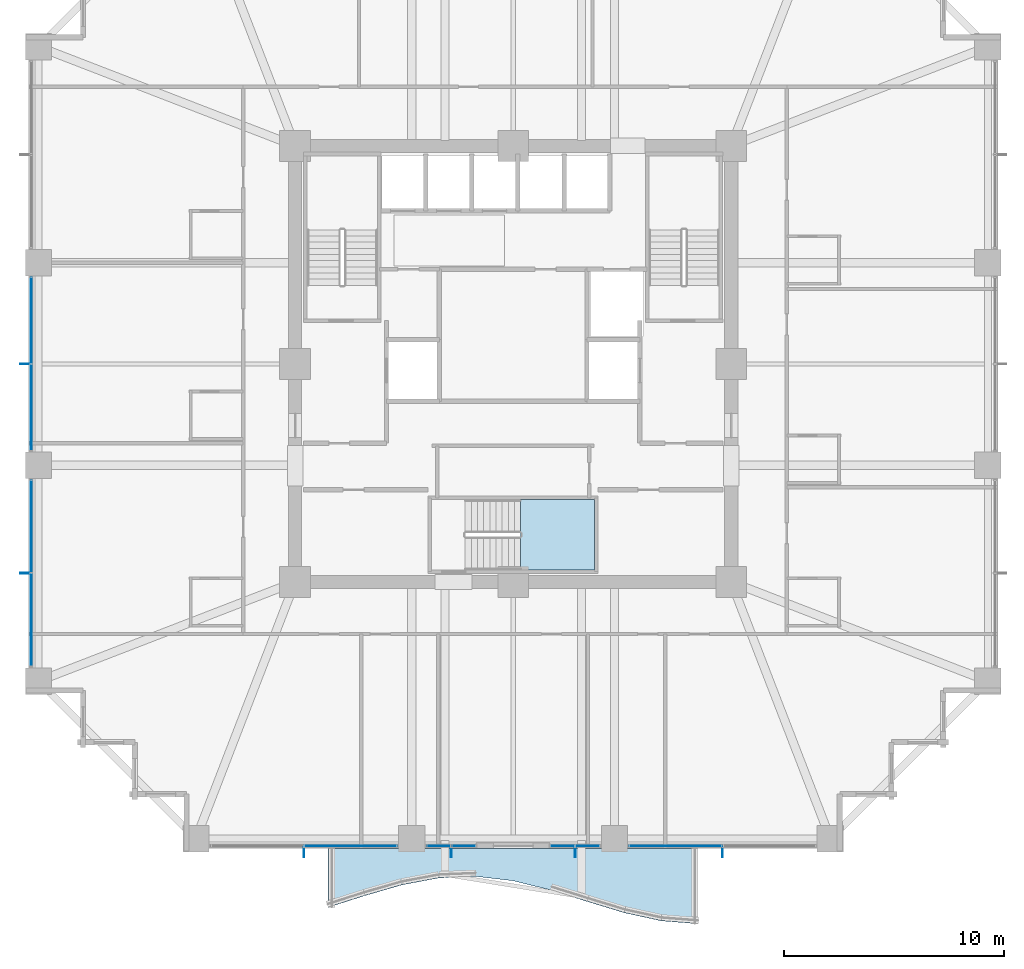
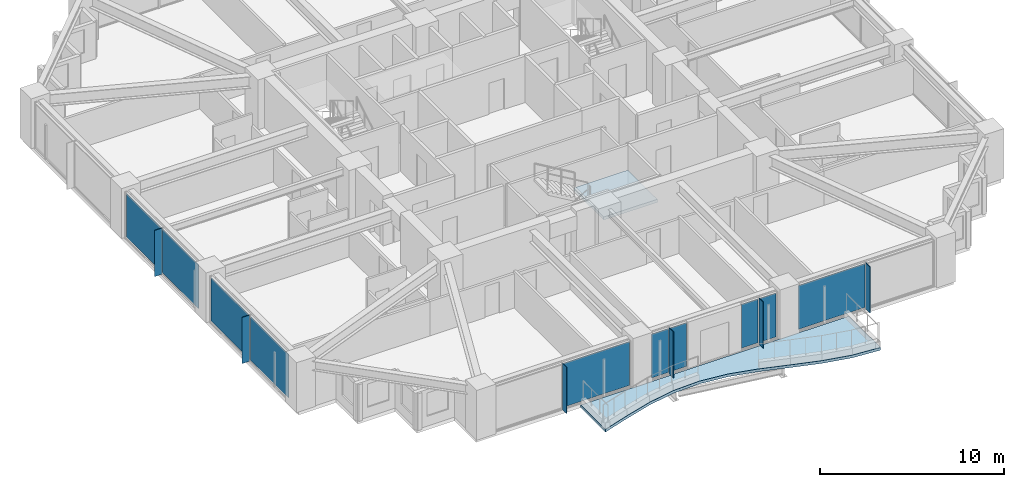
# One storey, part 27 of 38: 16 plates, 2 slabs, 7 elements without a shape of their own.
"""IFC4 building model written with IfcOpenShell, lengths in metres."""

from ifc_helpers import new_model, si_unit, direction, frame, origin, origin_2d, place, context, subcontext, project, spatial, polyline, rectangle, outline, extrude, material, layer, layer_set, type_object, element, aggregate, save


model = new_model("IFC4")

# Units and contexts
model_context = context("Model", 3, precision=1e-05, world=origin(), true_north=direction((0.0, 1.0)))
body_context = subcontext(model_context, "Body", "Model", "MODEL_VIEW")
ifc_project = project(units=[si_unit("LENGTHUNIT", "METRE"), si_unit("AREAUNIT", "SQUARE_METRE"), si_unit("VOLUMEUNIT", "CUBIC_METRE"), si_unit("PLANEANGLEUNIT", "RADIAN"), si_unit("MASSUNIT", "GRAM", prefix="KILO")], contexts=[model_context])

# Site, building, storey
site_placement = place(None, origin())
site = spatial("IfcSite", under=ifc_project, at=site_placement, CompositionType="ELEMENT")
building_placement = place(site_placement, origin())
building = spatial("IfcBuilding", under=site, at=building_placement, Name="Kolvaren Belvedere", CompositionType="ELEMENT")
storey_placement = place(building_placement, frame((0.0, 0.0, 30.39990234375)))
storey = spatial("IfcBuildingStorey", under=building, at=storey_placement, Name="L08", CompositionType="ELEMENT", Elevation=30.39990234375)

# Curtain wall, plate
ifc_material_1 = material(Name="Anodised pale-metal aluminium AA 6063-T6", Category="aluminium")
curtain_wall_type = type_object("IfcCurtainWallType", Name="CW-Z1-LOW", PredefinedType="NOTDEFINED", material=ifc_material_1)
curtain_wall_1_placement = place(storey_placement, origin())
curtain_wall_1 = element("IfcCurtainWall", 1, at=curtain_wall_1_placement, inside=storey, type_object=curtain_wall_type, Name="L08 Unitised Curtain Wall FCW-L08-S1-B1", PredefinedType="NOTDEFINED")
ifc_material_2 = material(Name="Low-iron triple insulated glass", Category="glass")
ifc_layer_1 = layer(ifc_material_2, 0.028076171875)
ifc_layer_set_1 = layer_set([ifc_layer_1], Name="Low-iron triple insulated glass")
plate_type_1 = type_object("IfcPlateType", Name="CW-PNL-VIS28", PredefinedType="CURTAIN_PANEL", material=ifc_layer_set_1)
plate_1_placement = place(storey_placement, frame((7.37744140625, -21.8798828125, 0.080078125), z_axis=(0.0, 0.0, 1.0), x_axis=(-1.0, 0.0, 0.0)))
plate_1 = element("IfcPlate", 2, at=plate_1_placement, type_object=plate_type_1, Name="FCW-L08-S1-B1 Vision Glazing Panel 2", PredefinedType="CURTAIN_PANEL", context=body_context, shape_type="SweptSolid", body=[
    extrude(rectangle(XDim=4.1650390625, YDim=0.028076171875, at=origin_2d()), origin(), (0.0, 0.0, 1.0), 2.89990234375),
])
aggregate(curtain_wall_1, [plate_1])

# Curtain wall, plates
curtain_wall_2_placement = place(storey_placement, origin())
curtain_wall_2 = element("IfcCurtainWall", 3, at=curtain_wall_2_placement, inside=storey, type_object=curtain_wall_type, Name="L08 Unitised Curtain Wall FCW-L08-S1-B2", PredefinedType="NOTDEFINED")
plate_2_placement = place(storey_placement, frame((3.37890625, -21.8798828125, 0.080078125), z_axis=(0.0, 0.0, 1.0), x_axis=(-1.0, 0.0, 0.0)))
plate_2 = element("IfcPlate", 4, at=plate_2_placement, type_object=plate_type_1, Name="FCW-L08-S1-B2 Vision Glazing Panel 1", PredefinedType="CURTAIN_PANEL", context=body_context, shape_type="SweptSolid", body=[
    extrude(rectangle(XDim=1.052490234375, YDim=0.028076171875, at=origin_2d()), origin(), (0.0, 0.0, 1.0), 2.89990234375),
])
plate_3_placement = place(storey_placement, frame((2.24609375, -21.8798828125, 0.080078125), z_axis=(0.0, 0.0, 1.0), x_axis=(-1.0, 0.0, 0.0)))
plate_3 = element("IfcPlate", 5, at=plate_3_placement, type_object=plate_type_1, Name="FCW-L08-S1-B2 Vision Glazing Panel 2", PredefinedType="CURTAIN_PANEL", context=body_context, shape_type="SweptSolid", body=[
    extrude(rectangle(XDim=1.052490234375, YDim=0.028076171875, at=origin_2d()), origin(), (0.0, 0.0, 1.0), 2.89990234375),
])
aggregate(curtain_wall_2, [plate_2, plate_3])

curtain_wall_3_placement = place(storey_placement, origin())
curtain_wall_3 = element("IfcCurtainWall", 6, at=curtain_wall_3_placement, inside=storey, type_object=curtain_wall_type, Name="L08 Unitised Curtain Wall FCW-L08-S2-B1", PredefinedType="NOTDEFINED")
plate_4_placement = place(storey_placement, frame((-2.24609375, -21.8798828125, 0.080078125), z_axis=(0.0, 0.0, 1.0), x_axis=(-1.0, 0.0, 0.0)))
plate_4 = element("IfcPlate", 7, at=plate_4_placement, type_object=plate_type_1, Name="FCW-L08-S2-B1 Vision Glazing Panel 1", PredefinedType="CURTAIN_PANEL", context=body_context, shape_type="SweptSolid", body=[
    extrude(rectangle(XDim=1.052490234375, YDim=0.028076171875, at=origin_2d()), origin(), (0.0, 0.0, 1.0), 2.89990234375),
])
plate_5_placement = place(storey_placement, frame((-3.378662109375, -21.8798828125, 0.080078125), z_axis=(0.0, 0.0, 1.0), x_axis=(-1.0, 0.0, 0.0)))
plate_5 = element("IfcPlate", 8, at=plate_5_placement, type_object=plate_type_1, Name="FCW-L08-S2-B1 Vision Glazing Panel 2", PredefinedType="CURTAIN_PANEL", context=body_context, shape_type="SweptSolid", body=[
    extrude(rectangle(XDim=1.052490234375, YDim=0.028076171875, at=origin_2d()), origin(), (0.0, 0.0, 1.0), 2.89990234375),
])
aggregate(curtain_wall_3, [plate_4, plate_5])

# Curtain wall, plate
curtain_wall_4_placement = place(storey_placement, origin())
curtain_wall_4 = element("IfcCurtainWall", 9, at=curtain_wall_4_placement, inside=storey, type_object=curtain_wall_type, Name="L08 Unitised Curtain Wall FCW-L08-S2-B2", PredefinedType="NOTDEFINED")
plate_6_placement = place(storey_placement, frame((-7.37744140625, -21.8798828125, 0.080078125), z_axis=(0.0, 0.0, 1.0), x_axis=(-1.0, 0.0, 0.0)))
plate_6 = element("IfcPlate", 10, at=plate_6_placement, type_object=plate_type_1, Name="FCW-L08-S2-B2 Vision Glazing Panel 1", PredefinedType="CURTAIN_PANEL", context=body_context, shape_type="SweptSolid", body=[
    extrude(rectangle(XDim=4.1650390625, YDim=0.028076171875, at=origin_2d()), origin(), (0.0, 0.0, 1.0), 2.89990234375),
])
aggregate(curtain_wall_4, [plate_6])

# Curtain wall, plates
curtain_wall_5_placement = place(storey_placement, origin())
curtain_wall_5 = element("IfcCurtainWall", 11, at=curtain_wall_5_placement, inside=storey, type_object=curtain_wall_type, Name="L08 Unitised Curtain Wall FCW-L08-W-B1", PredefinedType="NOTDEFINED")
plate_7_placement = place(storey_placement, frame((-21.8798828125, -11.62255859375, 0.080078125), z_axis=(0.0, 0.0, 1.0), x_axis=(0.0, 1.0, 0.0)))
plate_7 = element("IfcPlate", 12, at=plate_7_placement, type_object=plate_type_1, Name="FCW-L08-W-B1 Vision Glazing Panel 1", PredefinedType="CURTAIN_PANEL", context=body_context, shape_type="SweptSolid", body=[
    extrude(rectangle(XDim=4.1650390625, YDim=0.028076171875, at=origin_2d()), origin(), (0.0, 0.0, 1.0), 2.89990234375),
])
plate_8_placement = place(storey_placement, frame((-21.8798828125, -7.37744140625, 0.080078125), z_axis=(0.0, 0.0, 1.0), x_axis=(0.0, 1.0, 0.0)))
plate_8 = element("IfcPlate", 13, at=plate_8_placement, type_object=plate_type_1, Name="FCW-L08-W-B1 Vision Glazing Panel 2", PredefinedType="CURTAIN_PANEL", context=body_context, shape_type="SweptSolid", body=[
    extrude(rectangle(XDim=4.1650390625, YDim=0.028076171875, at=origin_2d()), origin(), (0.0, 0.0, 1.0), 2.89990234375),
])
aggregate(curtain_wall_5, [plate_7, plate_8])

curtain_wall_6_placement = place(storey_placement, origin())
curtain_wall_6 = element("IfcCurtainWall", 14, at=curtain_wall_6_placement, inside=storey, type_object=curtain_wall_type, Name="L08 Unitised Curtain Wall FCW-L08-W-B2", PredefinedType="NOTDEFINED")
plate_9_placement = place(storey_placement, frame((-21.8798828125, -1.972412109375, 0.080078125), z_axis=(0.0, 0.0, 1.0), x_axis=(0.0, 1.0, 0.0)))
plate_9 = element("IfcPlate", 15, at=plate_9_placement, type_object=plate_type_1, Name="FCW-L08-W-B2 Vision Glazing Panel 1", PredefinedType="CURTAIN_PANEL", context=body_context, shape_type="SweptSolid", body=[
    extrude(rectangle(XDim=3.864990234375, YDim=0.028076171875, at=origin_2d()), origin(), (0.0, 0.0, 1.0), 2.89990234375),
])
plate_10_placement = place(storey_placement, frame((-21.8798828125, 1.972412109375, 0.080078125), z_axis=(0.0, 0.0, 1.0), x_axis=(0.0, 1.0, 0.0)))
plate_10 = element("IfcPlate", 16, at=plate_10_placement, type_object=plate_type_1, Name="FCW-L08-W-B2 Vision Glazing Panel 2", PredefinedType="CURTAIN_PANEL", context=body_context, shape_type="SweptSolid", body=[
    extrude(rectangle(XDim=3.864990234375, YDim=0.028076171875, at=origin_2d()), origin(), (0.0, 0.0, 1.0), 2.89990234375),
])
aggregate(curtain_wall_6, [plate_9, plate_10])

# Plates
ifc_material_3 = material(Name="Anodised pale-metal aluminium AA 6063-T6", Category="aluminium")
ifc_layer_2 = layer(ifc_material_3, 0.0380859375)
ifc_layer_set_2 = layer_set([ifc_layer_2], Name="Anodised pale-metal aluminium AA 6063-T6")
plate_type_2 = type_object("IfcPlateType", Name="FIN-VERT-450", PredefinedType="USERDEFINED", material=ifc_layer_set_2)
for number, where, z_axis, x_axis, name in (
    (17, (9.5, -22.1650390625, 0.0), (0.0, 0.0, 1.0), (0.0, 1.0, 0.0), "L08 Pale-Metal Vertical Shading Fin FCW-L08-S1-B1-1"),
    (18, (2.8125, -22.1650390625, 0.0), (0.0, 0.0, 1.0), (0.0, 1.0, 0.0), "L08 Pale-Metal Vertical Shading Fin FCW-L08-S1-B2-1"),
    (19, (-2.8125, -22.1650390625, 0.0), (0.0, 0.0, 1.0), (0.0, 1.0, 0.0), "L08 Pale-Metal Vertical Shading Fin FCW-L08-S2-B1-1"),
    (20, (-9.5, -22.1650390625, 0.0), (0.0, 0.0, 1.0), (0.0, 1.0, 0.0), "L08 Pale-Metal Vertical Shading Fin FCW-L08-S2-B2-1"),
    (21, (-22.1650390625, -9.5, 0.0), (0.0, 0.0, 1.0), (1.0, 0.0, 0.0), "L08 Pale-Metal Vertical Shading Fin FCW-L08-W-B1-1"),
    (22, (-22.1650390625, 0.0, 0.0), (0.0, 0.0, 1.0), (1.0, 0.0, 0.0), "L08 Pale-Metal Vertical Shading Fin FCW-L08-W-B2-1"),
):
    element("IfcPlate", number, at=place(storey_placement, frame(where, z_axis=z_axis, x_axis=x_axis)), inside=storey, type_object=plate_type_2, Name=name, ObjectType="VERTICAL FIN", PredefinedType="USERDEFINED", context=body_context, shape_type="SweptSolid", body=[
        extrude(rectangle(XDim=0.449951171875, YDim=0.0380859375, at=origin_2d()), origin(), (0.0, 0.0, 1.0), 3.06005859375),
    ])

# Slab
ifc_material_4 = material(Name="Concrete C50/60", Category="concrete")
ifc_layer_3 = layer(ifc_material_4, 0.179931640625)
ifc_layer_set_3 = layer_set([ifc_layer_3], Name="Concrete C50/60")
slab_type_1 = type_object("IfcSlabType", Name="SL-BAL-180", PredefinedType="FLOOR", material=ifc_layer_set_3)
slab_1_placement = place(storey_placement, frame((0.0, 0.0, -0.239990234375)))
element("IfcSlab", 23, at=slab_1_placement, inside=storey, type_object=slab_type_1, Name="L08 Planted Balcony BAL-S", PredefinedType="FLOOR", context=body_context, shape_type="SweptSolid", body=[
    extrude(outline(polyline([(-8.39990234375, -24.673583984375), (-6.719970703125, -24.1376953125), (-5.0400390625, -23.651611328125), (-3.360107421875, -23.335693359375), (-1.679931640625, -23.2685546875), (0.0, -23.46630859375), (1.679931640625, -23.880126953125), (3.360107421875, -24.40771484375), (5.0400390625, -24.918701171875), (6.719970703125, -25.286376953125), (8.39990234375, -25.419921875), (8.39990234375, -22.0), (6.719970703125, -22.0), (5.0400390625, -22.0), (3.360107421875, -22.0), (1.679931640625, -22.0), (0.0, -22.0), (-1.679931640625, -22.0), (-3.360107421875, -22.0), (-5.0400390625, -22.0), (-6.719970703125, -22.0), (-8.39990234375, -22.0), (-8.39990234375, -24.673583984375)])), origin(), (0.0, 0.0, 1.0), 0.18017578125),
])

# Stair, slab
ifc_material_5 = material(Name="Concrete C50/60", Category="concrete")
stair_type = type_object("IfcStairType", Name="ST-CORE-1520", PredefinedType="HALF_TURN_STAIR", material=ifc_material_5)
stair_placement = place(storey_placement, origin())
stair = element("IfcStair", 24, at=stair_placement, inside=storey, type_object=stair_type, Name="L08 Protected Exit Stair ST-3", PredefinedType="HALF_TURN_STAIR")
ifc_material_6 = material(Name="Concrete C50/60", Category="concrete")
ifc_layer_4 = layer(ifc_material_6, 0.260009765625)
ifc_layer_set_4 = layer_set([ifc_layer_4], Name="Concrete C50/60")
slab_type_2 = type_object("IfcSlabType", Name="SL-LAND-260", PredefinedType="LANDING", material=ifc_layer_set_4)
slab_2_placement = place(storey_placement, frame((0.0, 0.0, 1.4501953125)))
slab_2 = element("IfcSlab", 25, at=slab_2_placement, type_object=slab_type_2, Name="ST-3 landing 1", PredefinedType="LANDING", context=body_context, shape_type="SweptSolid", body=[
    extrude(outline(polyline([(0.340087890625, -9.35009765625), (3.699951171875, -9.35009765625), (3.699951171875, -6.159912109375), (0.340087890625, -6.159912109375), (0.340087890625, -9.35009765625)])), origin(), (0.0, 0.0, 1.0), 0.199951171875),
])
aggregate(stair, [slab_2])

save(model, "model.ifc")
